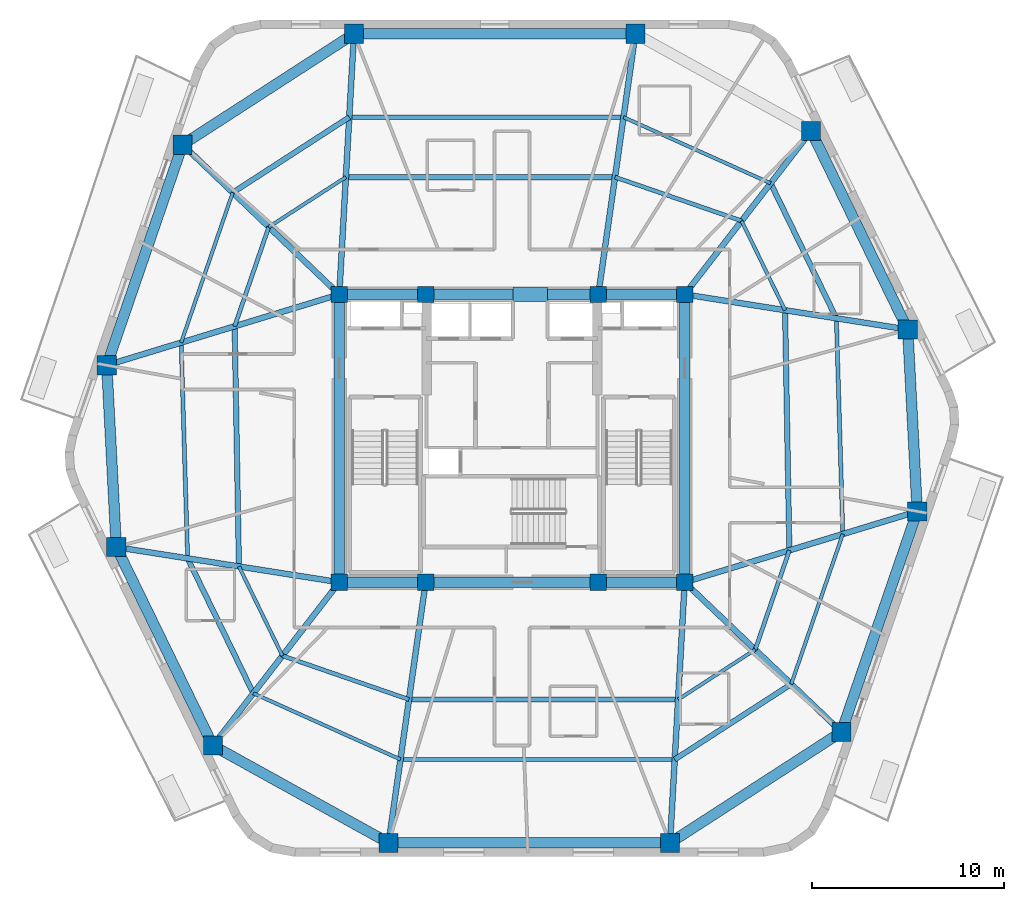
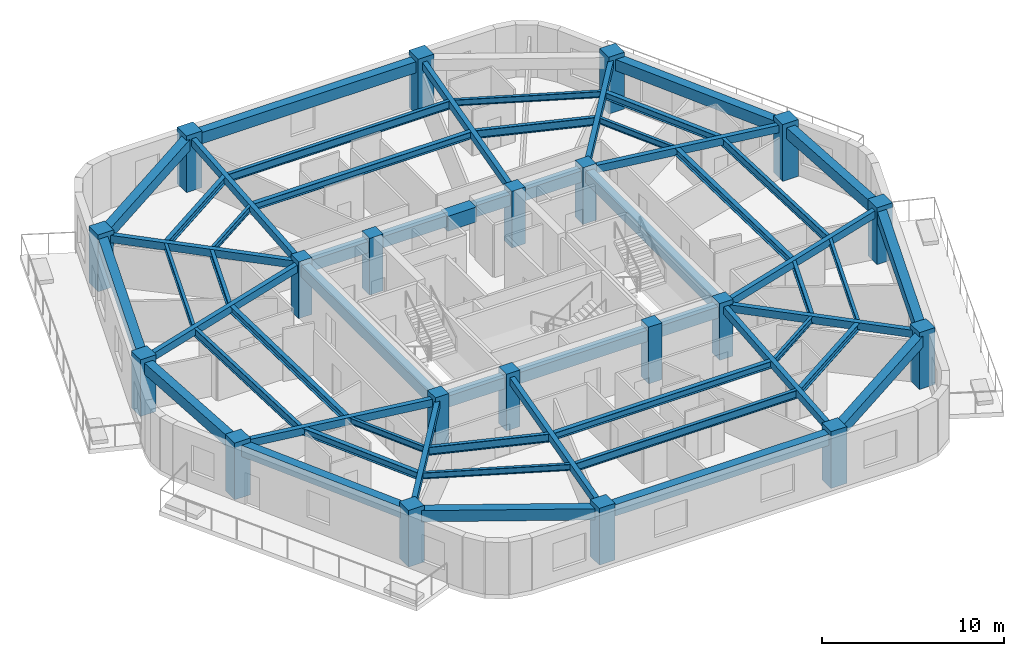
# One storey, part 1 of 9: 56 beams, 20 columns.
"""IFC4 building model written with IfcOpenShell, lengths in metres."""

from ifc_helpers import new_model, si_unit, direction, frame, origin, origin_2d, place, context, subcontext, project, spatial, rectangle, i_section, extrude, material, material_profile, profile_set, type_object, element, save


model = new_model("IFC4")

# Units and contexts
model_context = context("Model", 3, precision=1e-05, world=origin(), true_north=direction((0.0, 1.0)))
body_context = subcontext(model_context, "Body", "Model", "MODEL_VIEW")
ifc_project = project(units=[si_unit("LENGTHUNIT", "METRE"), si_unit("AREAUNIT", "SQUARE_METRE"), si_unit("VOLUMEUNIT", "CUBIC_METRE"), si_unit("PLANEANGLEUNIT", "RADIAN"), si_unit("MASSUNIT", "GRAM", prefix="KILO")], contexts=[model_context])

# Site, building, storey
site_placement = place(None, origin())
site = spatial("IfcSite", under=ifc_project, at=site_placement, CompositionType="ELEMENT")
building_placement = place(site_placement, origin())
building = spatial("IfcBuilding", under=site, at=building_placement, Name="Kilnhurst Terrace Hotel", CompositionType="ELEMENT")
storey_placement = place(building_placement, frame((0.0, 0.0, 240.699951171875)))
storey = spatial("IfcBuildingStorey", under=building, at=storey_placement, Name="L60", CompositionType="ELEMENT", Elevation=240.699951171875)

# Columns
ifc_material_1 = material(Name="Concrete C60/75", Category="concrete")
ifc_material_profile_1 = material_profile(ifc_material_1, rectangle(XDim=1.0, YDim=1.0, at=origin_2d()), Name="RC1000X1000")
ifc_profile_set_1 = profile_set([ifc_material_profile_1], Name="Concrete C60/75")
column_type_1 = type_object("IfcColumnType", Name="COL-RC-1000", PredefinedType="COLUMN", material=ifc_profile_set_1)
for number, where, z_axis, x_axis, name in (
    (1, (-6.429931640625, -21.080078125, 0.0), (0.0, 0.0, 1.0), (1.0, 0.0, 0.0), "L60 Structural Column PC-F11"),
    (2, (8.236083984375, -21.080078125, 0.0), (0.0, 0.0, 1.0), (1.0, 0.0, 0.0), "L60 Structural Column PC-F12"),
    (3, (17.166015625, -15.303955078125, 0.0), (0.0, 0.0, 1.0), (1.0, 0.0, 0.0), "L60 Structural Column PC-F21"),
    (4, (21.117919921875, -3.806884765625, 0.0), (0.0, 0.0, 1.0), (1.0, 0.0, 0.0), "L60 Structural Column PC-F22"),
    (5, (20.6220703125, 5.669921875, 0.0), (0.0, 0.0, 1.0), (1.0, 0.0, 0.0), "L60 Structural Column PC-F31"),
    (6, (15.5869140625, 16.012939453125, 0.0), (0.0, 0.0, 1.0), (1.0, 0.0, 0.0), "L60 Structural Column PC-F32"),
    (7, (6.429931640625, 21.080078125, 0.0), (0.0, 0.0, 1.0), (1.0, 0.0, 0.0), "L60 Structural Column PC-F41"),
    (8, (-8.236083984375, 21.080078125, 0.0), (0.0, 0.0, 1.0), (1.0, 0.0, 0.0), "L60 Structural Column PC-F42"),
    (9, (-17.166015625, 15.303955078125, 0.0), (0.0, 0.0, 1.0), (1.0, 0.0, 0.0), "L60 Structural Column PC-F51"),
    (10, (-21.117919921875, 3.806884765625, 0.0), (0.0, 0.0, 1.0), (1.0, 0.0, 0.0), "L60 Structural Column PC-F52"),
    (11, (-20.6220703125, -5.669921875, 0.0), (0.0, 0.0, 1.0), (1.0, 0.0, 0.0), "L60 Structural Column PC-F61"),
    (12, (-15.5869140625, -16.012939453125, 0.0), (0.0, 0.0, 1.0), (1.0, 0.0, 0.0), "L60 Structural Column PC-F62"),
):
    element("IfcColumn", number, at=place(storey_placement, frame(where, z_axis=z_axis, x_axis=x_axis)), inside=storey, type_object=column_type_1, Name=name, PredefinedType="COLUMN", context=body_context, shape_type="SweptSolid", body=[
        extrude(rectangle(XDim=1.0, YDim=1.0, at=origin_2d()), origin(), (0.0, 0.0, 1.0), 3.800048828125),
    ])
ifc_material_profile_2 = material_profile(ifc_material_1, rectangle(XDim=0.85009765625, YDim=0.85009765625, at=origin_2d()), Name="RC850X850")
ifc_profile_set_2 = profile_set([ifc_material_profile_2], Name="Concrete C60/75")
column_type_2 = type_object("IfcColumnType", Name="COL-RC-850", PredefinedType="COLUMN", material=ifc_profile_set_2)
for number, where, z_axis, x_axis, name in (
    (13, (-9.0, -7.5, 0.0), (0.0, 0.0, 1.0), (1.0, 0.0, 0.0), "L60 Structural Column CC-SW"),
    (14, (-4.5, -7.5, 0.0), (0.0, 0.0, 1.0), (1.0, 0.0, 0.0), "L60 Structural Column CC-SC1"),
    (15, (4.5, -7.5, 0.0), (0.0, 0.0, 1.0), (1.0, 0.0, 0.0), "L60 Structural Column CC-SC2"),
    (16, (9.0, -7.5, 0.0), (0.0, 0.0, 1.0), (1.0, 0.0, 0.0), "L60 Structural Column CC-SE"),
    (17, (9.0, 7.5, 0.0), (0.0, 0.0, 1.0), (1.0, 0.0, 0.0), "L60 Structural Column CC-NE"),
    (18, (4.5, 7.5, 0.0), (0.0, 0.0, 1.0), (1.0, 0.0, 0.0), "L60 Structural Column CC-NC2"),
    (19, (-4.5, 7.5, 0.0), (0.0, 0.0, 1.0), (1.0, 0.0, 0.0), "L60 Structural Column CC-NC1"),
    (20, (-9.0, 7.5, 0.0), (0.0, 0.0, 1.0), (1.0, 0.0, 0.0), "L60 Structural Column CC-NW"),
):
    element("IfcColumn", number, at=place(storey_placement, frame(where, z_axis=z_axis, x_axis=x_axis)), inside=storey, type_object=column_type_2, Name=name, PredefinedType="COLUMN", context=body_context, shape_type="SweptSolid", body=[
        extrude(rectangle(XDim=0.85009765625, YDim=0.85009765625, at=origin_2d()), origin(), (0.0, 0.0, 1.0), 3.800048828125),
    ])

# Beams
ifc_material_2 = material(Name="Concrete C50/60", Category="concrete")
ifc_material_profile_3 = material_profile(ifc_material_2, rectangle(XDim=0.300048828125, YDim=0.5, at=origin_2d()), Name="RC300X500")
ifc_profile_set_3 = profile_set([ifc_material_profile_3], Name="Concrete C50/60")
beam_type_1 = type_object("IfcBeamType", Name="BM-RAD-300X500", PredefinedType="BEAM", material=ifc_profile_set_3)
beam_1_placement = place(storey_placement, frame((-4.5, -7.5, 3.25), z_axis=(-0.140701170889, -0.990052109997, 0.0), x_axis=(0.990052109997, -0.140701170889, 0.0)))
element("IfcBeam", 21, at=beam_1_placement, inside=storey, type_object=beam_type_1, Name="L60 Radial Floor Beam 1", PredefinedType="BEAM", context=body_context, shape_type="SweptSolid", body=[
    extrude(rectangle(XDim=0.300048828125, YDim=0.5, at=origin_2d()), origin(), (0.0, 0.0, 1.0), 13.716552734375),
])
beam_2_placement = place(storey_placement, frame((9.0, -7.5, 3.25), z_axis=(-0.056163905291, -0.998421562138, 0.0), x_axis=(0.998421562138, -0.056163905291, 0.0)))
element("IfcBeam", 22, at=beam_2_placement, inside=storey, type_object=beam_type_1, Name="L60 Radial Floor Beam 2", PredefinedType="BEAM", context=body_context, shape_type="SweptSolid", body=[
    extrude(rectangle(XDim=0.300048828125, YDim=0.5, at=origin_2d()), origin(), (0.0, 0.0, 1.0), 13.6015625),
])
beam_3_placement = place(storey_placement, frame((9.0, -7.5, 3.25), z_axis=(0.722952064528, -0.690898192497, 0.0), x_axis=(0.690898192497, 0.722952064528, 0.0)))
element("IfcBeam", 23, at=beam_3_placement, inside=storey, type_object=beam_type_1, Name="L60 Radial Floor Beam 3", PredefinedType="BEAM", context=body_context, shape_type="SweptSolid", body=[
    extrude(rectangle(XDim=0.300048828125, YDim=0.5, at=origin_2d()), origin(), (0.0, 0.0, 1.0), 11.29541015625),
])
beam_4_placement = place(storey_placement, frame((9.0, -7.5, 3.25), z_axis=(0.956562713724, 0.291526627793, 0.0), x_axis=(-0.291526627793, 0.956562713724, 0.0)))
element("IfcBeam", 24, at=beam_4_placement, inside=storey, type_object=beam_type_1, Name="L60 Radial Floor Beam 4", PredefinedType="BEAM", context=body_context, shape_type="SweptSolid", body=[
    extrude(rectangle(XDim=0.300048828125, YDim=0.5, at=origin_2d()), origin(), (0.0, 0.0, 1.0), 12.668212890625),
])
beam_5_placement = place(storey_placement, frame((9.0, 7.5, 3.25), z_axis=(0.987828160163, -0.155549111179, 0.0), x_axis=(0.155549111179, 0.987828160163, 0.0)))
element("IfcBeam", 25, at=beam_5_placement, inside=storey, type_object=beam_type_1, Name="L60 Radial Floor Beam 5", PredefinedType="BEAM", context=body_context, shape_type="SweptSolid", body=[
    extrude(rectangle(XDim=0.300048828125, YDim=0.5, at=origin_2d()), origin(), (0.0, 0.0, 1.0), 11.765380859375),
])
beam_6_placement = place(storey_placement, frame((9.0, 7.5, 3.25), z_axis=(0.611955412533, 0.790892263884, 0.0), x_axis=(-0.790892263884, 0.611955412533, 0.0)))
element("IfcBeam", 26, at=beam_6_placement, inside=storey, type_object=beam_type_1, Name="L60 Radial Floor Beam 6", PredefinedType="BEAM", context=body_context, shape_type="SweptSolid", body=[
    extrude(rectangle(XDim=0.300048828125, YDim=0.5, at=origin_2d()), origin(), (0.0, 0.0, 1.0), 10.763671875),
])
beam_7_placement = place(storey_placement, frame((4.5, 7.5, 3.25), z_axis=(0.140701170889, 0.990052109997, 0.0), x_axis=(-0.990052109997, 0.140701170889, 0.0)))
element("IfcBeam", 27, at=beam_7_placement, inside=storey, type_object=beam_type_1, Name="L60 Radial Floor Beam 7", PredefinedType="BEAM", context=body_context, shape_type="SweptSolid", body=[
    extrude(rectangle(XDim=0.300048828125, YDim=0.5, at=origin_2d()), origin(), (0.0, 0.0, 1.0), 13.716552734375),
])
beam_8_placement = place(storey_placement, frame((-9.0, 7.5, 3.25), z_axis=(0.056163905291, 0.998421562138, 0.0), x_axis=(-0.998421562138, 0.056163905291, 0.0)))
element("IfcBeam", 28, at=beam_8_placement, inside=storey, type_object=beam_type_1, Name="L60 Radial Floor Beam 8", PredefinedType="BEAM", context=body_context, shape_type="SweptSolid", body=[
    extrude(rectangle(XDim=0.300048828125, YDim=0.5, at=origin_2d()), origin(), (0.0, 0.0, 1.0), 13.6015625),
])
beam_9_placement = place(storey_placement, frame((-9.0, 7.5, 3.25), z_axis=(-0.722952064528, 0.690898192497, 0.0), x_axis=(-0.690898192497, -0.722952064528, 0.0)))
element("IfcBeam", 29, at=beam_9_placement, inside=storey, type_object=beam_type_1, Name="L60 Radial Floor Beam 9", PredefinedType="BEAM", context=body_context, shape_type="SweptSolid", body=[
    extrude(rectangle(XDim=0.300048828125, YDim=0.5, at=origin_2d()), origin(), (0.0, 0.0, 1.0), 11.29541015625),
])
beam_10_placement = place(storey_placement, frame((-9.0, 7.5, 3.25), z_axis=(-0.956562713724, -0.291526627793, 0.0), x_axis=(0.291526627793, -0.956562713724, 0.0)))
element("IfcBeam", 30, at=beam_10_placement, inside=storey, type_object=beam_type_1, Name="L60 Radial Floor Beam 10", PredefinedType="BEAM", context=body_context, shape_type="SweptSolid", body=[
    extrude(rectangle(XDim=0.300048828125, YDim=0.5, at=origin_2d()), origin(), (0.0, 0.0, 1.0), 12.668212890625),
])
beam_11_placement = place(storey_placement, frame((-9.0, -7.5, 3.25), z_axis=(-0.987828160163, 0.155549111179, 0.0), x_axis=(-0.155549111179, -0.987828160163, 0.0)))
element("IfcBeam", 31, at=beam_11_placement, inside=storey, type_object=beam_type_1, Name="L60 Radial Floor Beam 11", PredefinedType="BEAM", context=body_context, shape_type="SweptSolid", body=[
    extrude(rectangle(XDim=0.300048828125, YDim=0.5, at=origin_2d()), origin(), (0.0, 0.0, 1.0), 11.765380859375),
])
beam_12_placement = place(storey_placement, frame((-9.0, -7.5, 3.25), z_axis=(-0.611955412533, -0.790892263884, 0.0), x_axis=(0.790892263884, -0.611955412533, 0.0)))
element("IfcBeam", 32, at=beam_12_placement, inside=storey, type_object=beam_type_1, Name="L60 Radial Floor Beam 12", PredefinedType="BEAM", context=body_context, shape_type="SweptSolid", body=[
    extrude(rectangle(XDim=0.300048828125, YDim=0.5, at=origin_2d()), origin(), (0.0, 0.0, 1.0), 10.763671875),
])
ifc_material_profile_4 = material_profile(ifc_material_2, rectangle(XDim=0.550048828125, YDim=0.75, at=origin_2d()), Name="RC550X750")
ifc_profile_set_4 = profile_set([ifc_material_profile_4], Name="Concrete C50/60")
beam_type_2 = type_object("IfcBeamType", Name="BM-SPN-550X750", PredefinedType="SPANDREL", material=ifc_profile_set_4)
beam_13_placement = place(storey_placement, frame((-9.0, 7.5, 3.125), z_axis=(1.0, 0.0, 0.0), x_axis=(0.0, 1.0, 0.0)))
element("IfcBeam", 33, at=beam_13_placement, inside=storey, type_object=beam_type_2, Name="L60 Core Tie Beam CC-NW to CC-NC1", PredefinedType="SPANDREL", context=body_context, shape_type="SweptSolid", body=[
    extrude(rectangle(XDim=0.550048828125, YDim=0.75, at=origin_2d()), origin(), (0.0, 0.0, 1.0), 4.5),
])
beam_14_placement = place(storey_placement, frame((-4.5, 7.5, 3.125), z_axis=(1.0, 0.0, 0.0), x_axis=(0.0, 1.0, 0.0)))
element("IfcBeam", 34, at=beam_14_placement, inside=storey, type_object=beam_type_2, Name="L60 Core Tie Beam CC-NC1 to CC-NC2", PredefinedType="SPANDREL", context=body_context, shape_type="SweptSolid", body=[
    extrude(rectangle(XDim=0.550048828125, YDim=0.75, at=origin_2d()), origin(), (0.0, 0.0, 1.0), 9.0),
])
for number, where, z_axis, x_axis, name in (
    (35, (4.5, 7.5, 3.125), (1.0, 0.0, 0.0), (0.0, 1.0, 0.0), "L60 Core Tie Beam CC-NC2 to CC-NE"),
    (36, (-9.0, -7.5, 3.125), (1.0, 0.0, 0.0), (0.0, 1.0, 0.0), "L60 Core Tie Beam CC-SW to CC-SC1"),
):
    element("IfcBeam", number, at=place(storey_placement, frame(where, z_axis=z_axis, x_axis=x_axis)), inside=storey, type_object=beam_type_2, Name=name, PredefinedType="SPANDREL", context=body_context, shape_type="SweptSolid", body=[
        extrude(rectangle(XDim=0.550048828125, YDim=0.75, at=origin_2d()), origin(), (0.0, 0.0, 1.0), 4.5),
    ])
beam_15_placement = place(storey_placement, frame((-4.5, -7.5, 3.125), z_axis=(1.0, 0.0, 0.0), x_axis=(0.0, 1.0, 0.0)))
element("IfcBeam", 37, at=beam_15_placement, inside=storey, type_object=beam_type_2, Name="L60 Core Tie Beam CC-SC1 to CC-SC2", PredefinedType="SPANDREL", context=body_context, shape_type="SweptSolid", body=[
    extrude(rectangle(XDim=0.550048828125, YDim=0.75, at=origin_2d()), origin(), (0.0, 0.0, 1.0), 9.0),
])
beam_16_placement = place(storey_placement, frame((4.5, -7.5, 3.125), z_axis=(1.0, 0.0, 0.0), x_axis=(0.0, 1.0, 0.0)))
element("IfcBeam", 38, at=beam_16_placement, inside=storey, type_object=beam_type_2, Name="L60 Core Tie Beam CC-SC2 to CC-SE", PredefinedType="SPANDREL", context=body_context, shape_type="SweptSolid", body=[
    extrude(rectangle(XDim=0.550048828125, YDim=0.75, at=origin_2d()), origin(), (0.0, 0.0, 1.0), 4.5),
])
for number, where, z_axis, x_axis, name in (
    (39, (-9.0, -7.5, 3.125), (0.0, 1.0, 0.0), (-1.0, 0.0, 0.0), "L60 Core Tie Beam CC-SW to CC-NW"),
    (40, (9.0, -7.5, 3.125), (0.0, 1.0, 0.0), (-1.0, 0.0, 0.0), "L60 Core Tie Beam CC-SE to CC-NE"),
):
    element("IfcBeam", number, at=place(storey_placement, frame(where, z_axis=z_axis, x_axis=x_axis)), inside=storey, type_object=beam_type_2, Name=name, PredefinedType="SPANDREL", context=body_context, shape_type="SweptSolid", body=[
        extrude(rectangle(XDim=0.550048828125, YDim=0.75, at=origin_2d()), origin(), (0.0, 0.0, 1.0), 15.0),
    ])
beam_17_placement = place(storey_placement, frame((-6.429931640625, -21.080078125, 3.125), z_axis=(1.0, 0.0, 0.0), x_axis=(0.0, 1.0, 0.0)))
element("IfcBeam", 41, at=beam_17_placement, inside=storey, type_object=beam_type_2, Name="L60 Perimeter Spandrel Beam 1", PredefinedType="SPANDREL", context=body_context, shape_type="SweptSolid", body=[
    extrude(rectangle(XDim=0.550048828125, YDim=0.75, at=origin_2d()), origin(), (0.0, 0.0, 1.0), 14.666015625),
])
beam_18_placement = place(storey_placement, frame((8.236083984375, -21.080078125, 3.125), z_axis=(0.839658834217, 0.543114207254, 0.0), x_axis=(-0.543114207254, 0.839658834217, 0.0)))
element("IfcBeam", 42, at=beam_18_placement, inside=storey, type_object=beam_type_2, Name="L60 Perimeter Spandrel Beam 2", PredefinedType="SPANDREL", context=body_context, shape_type="SweptSolid", body=[
    extrude(rectangle(XDim=0.550048828125, YDim=0.75, at=origin_2d()), origin(), (0.0, 0.0, 1.0), 10.63525390625),
])
beam_19_placement = place(storey_placement, frame((17.166015625, -15.303955078125, 3.125), z_axis=(0.325064053802, 0.94569200109, 0.0), x_axis=(-0.94569200109, 0.325064053802, 0.0)))
element("IfcBeam", 43, at=beam_19_placement, inside=storey, type_object=beam_type_2, Name="L60 Perimeter Spandrel Beam 3", PredefinedType="SPANDREL", context=body_context, shape_type="SweptSolid", body=[
    extrude(rectangle(XDim=0.550048828125, YDim=0.75, at=origin_2d()), origin(), (0.0, 0.0, 1.0), 12.1572265625),
])
beam_20_placement = place(storey_placement, frame((21.117919921875, -3.806884765625, 3.125), z_axis=(-0.052250962837, 0.998633985443, 0.0), x_axis=(-0.998633985443, -0.052250962837, 0.0)))
element("IfcBeam", 44, at=beam_20_placement, inside=storey, type_object=beam_type_2, Name="L60 Perimeter Spandrel Beam 4", PredefinedType="SPANDREL", context=body_context, shape_type="SweptSolid", body=[
    extrude(rectangle(XDim=0.550048828125, YDim=0.75, at=origin_2d()), origin(), (0.0, 0.0, 1.0), 9.48974609375),
])
beam_21_placement = place(storey_placement, frame((20.6220703125, 5.669921875, 3.125), z_axis=(-0.437705964683, 0.899118172701, 0.0), x_axis=(-0.899118172701, -0.437705964683, 0.0)))
element("IfcBeam", 45, at=beam_21_placement, inside=storey, type_object=beam_type_2, Name="L60 Perimeter Spandrel Beam 5", PredefinedType="SPANDREL", context=body_context, shape_type="SweptSolid", body=[
    extrude(rectangle(XDim=0.550048828125, YDim=0.75, at=origin_2d()), origin(), (0.0, 0.0, 1.0), 11.50341796875),
])
beam_22_placement = place(storey_placement, frame((6.429931640625, 21.080078125, 3.125), z_axis=(-1.0, 0.0, 0.0), x_axis=(0.0, -1.0, 0.0)))
element("IfcBeam", 46, at=beam_22_placement, inside=storey, type_object=beam_type_2, Name="L60 Perimeter Spandrel Beam 7", PredefinedType="SPANDREL", context=body_context, shape_type="SweptSolid", body=[
    extrude(rectangle(XDim=0.550048828125, YDim=0.75, at=origin_2d()), origin(), (0.0, 0.0, 1.0), 14.666015625),
])
beam_23_placement = place(storey_placement, frame((-8.236083984375, 21.080078125, 3.125), z_axis=(-0.839658834217, -0.543114207254, 0.0), x_axis=(0.543114207254, -0.839658834217, 0.0)))
element("IfcBeam", 47, at=beam_23_placement, inside=storey, type_object=beam_type_2, Name="L60 Perimeter Spandrel Beam 8", PredefinedType="SPANDREL", context=body_context, shape_type="SweptSolid", body=[
    extrude(rectangle(XDim=0.550048828125, YDim=0.75, at=origin_2d()), origin(), (0.0, 0.0, 1.0), 10.63525390625),
])
beam_24_placement = place(storey_placement, frame((-17.166015625, 15.303955078125, 3.125), z_axis=(-0.325064053802, -0.94569200109, 0.0), x_axis=(0.94569200109, -0.325064053802, 0.0)))
element("IfcBeam", 48, at=beam_24_placement, inside=storey, type_object=beam_type_2, Name="L60 Perimeter Spandrel Beam 9", PredefinedType="SPANDREL", context=body_context, shape_type="SweptSolid", body=[
    extrude(rectangle(XDim=0.550048828125, YDim=0.75, at=origin_2d()), origin(), (0.0, 0.0, 1.0), 12.1572265625),
])
beam_25_placement = place(storey_placement, frame((-21.117919921875, 3.806884765625, 3.125), z_axis=(0.052250962837, -0.998633985443, 0.0), x_axis=(0.998633985443, 0.052250962837, 0.0)))
element("IfcBeam", 49, at=beam_25_placement, inside=storey, type_object=beam_type_2, Name="L60 Perimeter Spandrel Beam 10", PredefinedType="SPANDREL", context=body_context, shape_type="SweptSolid", body=[
    extrude(rectangle(XDim=0.550048828125, YDim=0.75, at=origin_2d()), origin(), (0.0, 0.0, 1.0), 9.48974609375),
])
beam_26_placement = place(storey_placement, frame((-20.6220703125, -5.669921875, 3.125), z_axis=(0.437705964683, -0.899118172701, 0.0), x_axis=(0.899118172701, 0.437705964683, 0.0)))
element("IfcBeam", 50, at=beam_26_placement, inside=storey, type_object=beam_type_2, Name="L60 Perimeter Spandrel Beam 11", PredefinedType="SPANDREL", context=body_context, shape_type="SweptSolid", body=[
    extrude(rectangle(XDim=0.550048828125, YDim=0.75, at=origin_2d()), origin(), (0.0, 0.0, 1.0), 11.50341796875),
])
beam_27_placement = place(storey_placement, frame((-15.5869140625, -16.012939453125, 3.125), z_axis=(0.874970333121, -0.484176534085, 0.0), x_axis=(0.484176534085, 0.874970333121, 0.0)))
element("IfcBeam", 51, at=beam_27_placement, inside=storey, type_object=beam_type_2, Name="L60 Perimeter Spandrel Beam 12", PredefinedType="SPANDREL", context=body_context, shape_type="SweptSolid", body=[
    extrude(rectangle(XDim=0.550048828125, YDim=0.75, at=origin_2d()), origin(), (0.0, 0.0, 1.0), 10.465576171875),
])
ifc_material_3 = material(Name="Steel ASTM A992 Grade 50", Category="steel")
ifc_material_profile_5 = material_profile(ifc_material_3, i_section(OverallWidth=0.180908203125, OverallDepth=0.417236328125, WebThickness=0.010986328125, FlangeThickness=0.018310546875, at=origin_2d()), Name="W16X57")
ifc_profile_set_5 = profile_set([ifc_material_profile_5], Name="Steel ASTM A992 Grade 50")
beam_type_3 = type_object("IfcBeamType", Name="JST-STL-W16X57", PredefinedType="JOIST", material=ifc_profile_set_5)
beam_28_placement = place(storey_placement, frame((14.552978515625, -12.806640625, 3.291015625), z_axis=(0.325064911916, 0.945691706129, 0.0), x_axis=(-0.945691706129, 0.325064911916, 0.0)))
element("IfcBeam", 52, at=beam_28_placement, inside=storey, type_object=beam_type_3, Name="L60 Secondary Floor Steel Joist OUT.3", PredefinedType="JOIST", context=body_context, shape_type="SweptSolid", body=[
    extrude(i_section(OverallWidth=0.180908203125, OverallDepth=0.417236328125, WebThickness=0.010986328125, FlangeThickness=0.018310546875, at=origin_2d()), origin(), (0.0, 0.0, 1.0), 8.266845703125),
])
beam_29_placement = place(storey_placement, frame((13.479248046875, 13.288818359375, 3.291015625), z_axis=(-0.912120852375, 0.409921395713, 0.0), x_axis=(-0.409921395713, -0.912120852375, 0.0)))
element("IfcBeam", 53, at=beam_29_placement, inside=storey, type_object=beam_type_3, Name="L60 Secondary Floor Steel Joist OUT.6", PredefinedType="JOIST", context=body_context, shape_type="SweptSolid", body=[
    extrude(i_section(OverallWidth=0.180908203125, OverallDepth=0.417236328125, WebThickness=0.010986328125, FlangeThickness=0.018310546875, at=origin_2d()), origin(), (0.0, 0.0, 1.0), 8.405517578125),
])
beam_30_placement = place(storey_placement, frame((-14.552978515625, 12.806640625, 3.291015625), z_axis=(-0.325064911916, -0.945691706129, 0.0), x_axis=(0.945691706129, -0.325064911916, 0.0)))
element("IfcBeam", 54, at=beam_30_placement, inside=storey, type_object=beam_type_3, Name="L60 Secondary Floor Steel Joist OUT.9", PredefinedType="JOIST", context=body_context, shape_type="SweptSolid", body=[
    extrude(i_section(OverallWidth=0.180908203125, OverallDepth=0.417236328125, WebThickness=0.010986328125, FlangeThickness=0.018310546875, at=origin_2d()), origin(), (0.0, 0.0, 1.0), 8.266845703125),
])
beam_31_placement = place(storey_placement, frame((-13.479248046875, -13.288818359375, 3.291015625), z_axis=(0.912120852375, -0.409921395713, 0.0), x_axis=(0.409921395713, 0.912120852375, 0.0)))
element("IfcBeam", 55, at=beam_31_placement, inside=storey, type_object=beam_type_3, Name="L60 Secondary Floor Steel Joist OUT.12", PredefinedType="JOIST", context=body_context, shape_type="SweptSolid", body=[
    extrude(i_section(OverallWidth=0.180908203125, OverallDepth=0.417236328125, WebThickness=0.010986328125, FlangeThickness=0.018310546875, at=origin_2d()), origin(), (0.0, 0.0, 1.0), 8.405517578125),
])
beam_32_placement = place(storey_placement, frame((8.65625, -13.611083984375, 3.291015625), z_axis=(0.839653632344, 0.543122249306, 0.0), x_axis=(-0.543122249306, 0.839653632344, 0.0)))
element("IfcBeam", 56, at=beam_32_placement, inside=storey, type_object=beam_type_3, Name="L60 Secondary Floor Steel Joist IN.2", PredefinedType="JOIST", context=body_context, shape_type="SweptSolid", body=[
    extrude(i_section(OverallWidth=0.180908203125, OverallDepth=0.417236328125, WebThickness=0.010986328125, FlangeThickness=0.018310546875, at=origin_2d()), origin(), (0.0, 0.0, 1.0), 4.785888671875),
])
beam_33_placement = place(storey_placement, frame((14.22998046875, 6.676513671875, 3.291015625), z_axis=(-0.437718230281, 0.899112201496, 0.0), x_axis=(-0.899112201496, -0.437718230281, 0.0)))
element("IfcBeam", 57, at=beam_33_placement, inside=storey, type_object=beam_type_3, Name="L60 Secondary Floor Steel Joist IN.5", PredefinedType="JOIST", context=body_context, shape_type="SweptSolid", body=[
    extrude(i_section(OverallWidth=0.180908203125, OverallDepth=0.417236328125, WebThickness=0.010986328125, FlangeThickness=0.018310546875, at=origin_2d()), origin(), (0.0, 0.0, 1.0), 5.176513671875),
])
beam_34_placement = place(storey_placement, frame((-8.65625, 13.611083984375, 3.291015625), z_axis=(-0.839653632344, -0.543122249306, 0.0), x_axis=(0.543122249306, -0.839653632344, 0.0)))
element("IfcBeam", 58, at=beam_34_placement, inside=storey, type_object=beam_type_3, Name="L60 Secondary Floor Steel Joist IN.8", PredefinedType="JOIST", context=body_context, shape_type="SweptSolid", body=[
    extrude(i_section(OverallWidth=0.180908203125, OverallDepth=0.417236328125, WebThickness=0.010986328125, FlangeThickness=0.018310546875, at=origin_2d()), origin(), (0.0, 0.0, 1.0), 4.785888671875),
])
beam_35_placement = place(storey_placement, frame((-14.22998046875, -6.676513671875, 3.291015625), z_axis=(0.437718230281, -0.899112201496, 0.0), x_axis=(0.899112201496, 0.437718230281, 0.0)))
element("IfcBeam", 59, at=beam_35_placement, inside=storey, type_object=beam_type_3, Name="L60 Secondary Floor Steel Joist IN.11", PredefinedType="JOIST", context=body_context, shape_type="SweptSolid", body=[
    extrude(i_section(OverallWidth=0.180908203125, OverallDepth=0.417236328125, WebThickness=0.010986328125, FlangeThickness=0.018310546875, at=origin_2d()), origin(), (0.0, 0.0, 1.0), 5.176513671875),
])
ifc_material_profile_6 = material_profile(ifc_material_3, i_section(OverallWidth=0.279296875, OverallDepth=0.462890625, WebThickness=0.0107421875, FlangeThickness=0.017333984375, at=origin_2d()), Name="W18X76")
ifc_profile_set_6 = profile_set([ifc_material_profile_6], Name="Steel ASTM A992 Grade 50")
beam_type_4 = type_object("IfcBeamType", Name="JST-STL-W18X76", PredefinedType="JOIST", material=ifc_profile_set_6)
beam_36_placement = place(storey_placement, frame((8.48046875, -16.734375, 3.26806640625), z_axis=(0.839667054453, 0.543101498494, 0.0), x_axis=(-0.543101498494, 0.839667054453, 0.0)))
element("IfcBeam", 60, at=beam_36_placement, inside=storey, type_object=beam_type_4, Name="L60 Secondary Floor Steel Joist OUT.2", PredefinedType="JOIST", context=body_context, shape_type="SweptSolid", body=[
    extrude(i_section(OverallWidth=0.279296875, OverallDepth=0.462890625, WebThickness=0.0107421875, FlangeThickness=0.017333984375, at=origin_2d()), origin(), (0.0, 0.0, 1.0), 7.23193359375),
])
beam_37_placement = place(storey_placement, frame((16.903076171875, 6.255615234375, 3.26806640625), z_axis=(-0.437700347277, 0.899120907328, 0.0), x_axis=(-0.899120907328, -0.437700347277, 0.0)))
element("IfcBeam", 61, at=beam_37_placement, inside=storey, type_object=beam_type_4, Name="L60 Secondary Floor Steel Joist OUT.5", PredefinedType="JOIST", context=body_context, shape_type="SweptSolid", body=[
    extrude(i_section(OverallWidth=0.279296875, OverallDepth=0.462890625, WebThickness=0.0107421875, FlangeThickness=0.017333984375, at=origin_2d()), origin(), (0.0, 0.0, 1.0), 7.822265625),
])
beam_38_placement = place(storey_placement, frame((-8.48046875, 16.734375, 3.26806640625), z_axis=(-0.839667054453, -0.543101498494, 0.0), x_axis=(0.543101498494, -0.839667054453, 0.0)))
element("IfcBeam", 62, at=beam_38_placement, inside=storey, type_object=beam_type_4, Name="L60 Secondary Floor Steel Joist OUT.8", PredefinedType="JOIST", context=body_context, shape_type="SweptSolid", body=[
    extrude(i_section(OverallWidth=0.279296875, OverallDepth=0.462890625, WebThickness=0.0107421875, FlangeThickness=0.017333984375, at=origin_2d()), origin(), (0.0, 0.0, 1.0), 7.23193359375),
])
beam_39_placement = place(storey_placement, frame((-16.903076171875, -6.255615234375, 3.26806640625), z_axis=(0.437700347277, -0.899120907328, 0.0), x_axis=(0.899120907328, 0.437700347277, 0.0)))
element("IfcBeam", 63, at=beam_39_placement, inside=storey, type_object=beam_type_4, Name="L60 Secondary Floor Steel Joist OUT.11", PredefinedType="JOIST", context=body_context, shape_type="SweptSolid", body=[
    extrude(i_section(OverallWidth=0.279296875, OverallDepth=0.462890625, WebThickness=0.0107421875, FlangeThickness=0.017333984375, at=origin_2d()), origin(), (0.0, 0.0, 1.0), 7.822265625),
])
beam_40_placement = place(storey_placement, frame((-5.368408203125, -13.611083984375, 3.26806640625), z_axis=(1.0, 0.0, 0.0), x_axis=(0.0, 1.0, 0.0)))
element("IfcBeam", 64, at=beam_40_placement, inside=storey, type_object=beam_type_4, Name="L60 Secondary Floor Steel Joist IN.1", PredefinedType="JOIST", context=body_context, shape_type="SweptSolid", body=[
    extrude(i_section(OverallWidth=0.279296875, OverallDepth=0.462890625, WebThickness=0.0107421875, FlangeThickness=0.017333984375, at=origin_2d()), origin(), (0.0, 0.0, 1.0), 14.024658203125),
])
beam_41_placement = place(storey_placement, frame((14.453125, -5.838134765625, 3.26806640625), z_axis=(-0.017827833387, 0.999841071549, 0.0), x_axis=(-0.999841071549, -0.017827833387, 0.0)))
element("IfcBeam", 65, at=beam_41_placement, inside=storey, type_object=beam_type_4, Name="L60 Secondary Floor Steel Joist IN.4", PredefinedType="JOIST", context=body_context, shape_type="SweptSolid", body=[
    extrude(i_section(OverallWidth=0.279296875, OverallDepth=0.462890625, WebThickness=0.0107421875, FlangeThickness=0.017333984375, at=origin_2d()), origin(), (0.0, 0.0, 1.0), 12.5166015625),
])
beam_42_placement = place(storey_placement, frame((5.368408203125, 13.611083984375, 3.26806640625), z_axis=(-1.0, 0.0, 0.0), x_axis=(0.0, -1.0, 0.0)))
element("IfcBeam", 66, at=beam_42_placement, inside=storey, type_object=beam_type_4, Name="L60 Secondary Floor Steel Joist IN.7", PredefinedType="JOIST", context=body_context, shape_type="SweptSolid", body=[
    extrude(i_section(OverallWidth=0.279296875, OverallDepth=0.462890625, WebThickness=0.0107421875, FlangeThickness=0.017333984375, at=origin_2d()), origin(), (0.0, 0.0, 1.0), 14.024658203125),
])
beam_43_placement = place(storey_placement, frame((-14.453125, 5.838134765625, 3.26806640625), z_axis=(0.017827833387, -0.999841071549, 0.0), x_axis=(0.999841071549, 0.017827833387, 0.0)))
element("IfcBeam", 67, at=beam_43_placement, inside=storey, type_object=beam_type_4, Name="L60 Secondary Floor Steel Joist IN.10", PredefinedType="JOIST", context=body_context, shape_type="SweptSolid", body=[
    extrude(i_section(OverallWidth=0.279296875, OverallDepth=0.462890625, WebThickness=0.0107421875, FlangeThickness=0.017333984375, at=origin_2d()), origin(), (0.0, 0.0, 1.0), 12.5166015625),
])
ifc_material_profile_7 = material_profile(ifc_material_3, i_section(OverallWidth=0.2138671875, OverallDepth=0.549072265625, WebThickness=0.0146484375, FlangeThickness=0.023681640625, at=origin_2d()), Name="W21X93")
ifc_profile_set_7 = profile_set([ifc_material_profile_7], Name="Steel ASTM A992 Grade 50")
beam_type_5 = type_object("IfcBeamType", Name="JST-STL-W21X93", PredefinedType="JOIST", material=ifc_profile_set_7)
beam_44_placement = place(storey_placement, frame((-5.8125, -16.734375, 3.22509765625), z_axis=(1.0, 0.0, 0.0), x_axis=(0.0, 1.0, 0.0)))
element("IfcBeam", 68, at=beam_44_placement, inside=storey, type_object=beam_type_5, Name="L60 Secondary Floor Steel Joist OUT.1", PredefinedType="JOIST", context=body_context, shape_type="SweptSolid", body=[
    extrude(i_section(OverallWidth=0.2138671875, OverallDepth=0.549072265625, WebThickness=0.0146484375, FlangeThickness=0.023681640625, at=origin_2d()), origin(), (0.0, 0.0, 1.0), 14.29296875),
])
beam_45_placement = place(storey_placement, frame((17.240234375, -4.98876953125, 3.22509765625), z_axis=(-0.029971114202, 0.999550765251, 0.0), x_axis=(-0.999550765251, -0.029971114202, 0.0)))
element("IfcBeam", 69, at=beam_45_placement, inside=storey, type_object=beam_type_5, Name="L60 Secondary Floor Steel Joist OUT.4", PredefinedType="JOIST", context=body_context, shape_type="SweptSolid", body=[
    extrude(i_section(OverallWidth=0.2138671875, OverallDepth=0.549072265625, WebThickness=0.0146484375, FlangeThickness=0.023681640625, at=origin_2d()), origin(), (0.0, 0.0, 1.0), 11.24951171875),
])
beam_46_placement = place(storey_placement, frame((5.8125, 16.734375, 3.22509765625), z_axis=(-1.0, 0.0, 0.0), x_axis=(0.0, -1.0, 0.0)))
element("IfcBeam", 70, at=beam_46_placement, inside=storey, type_object=beam_type_5, Name="L60 Secondary Floor Steel Joist OUT.7", PredefinedType="JOIST", context=body_context, shape_type="SweptSolid", body=[
    extrude(i_section(OverallWidth=0.2138671875, OverallDepth=0.549072265625, WebThickness=0.0146484375, FlangeThickness=0.023681640625, at=origin_2d()), origin(), (0.0, 0.0, 1.0), 14.29296875),
])
beam_47_placement = place(storey_placement, frame((-17.240234375, 4.98876953125, 3.22509765625), z_axis=(0.029971114202, -0.999550765251, 0.0), x_axis=(0.999550765251, 0.029971114202, 0.0)))
element("IfcBeam", 71, at=beam_47_placement, inside=storey, type_object=beam_type_5, Name="L60 Secondary Floor Steel Joist OUT.10", PredefinedType="JOIST", context=body_context, shape_type="SweptSolid", body=[
    extrude(i_section(OverallWidth=0.2138671875, OverallDepth=0.549072265625, WebThickness=0.0146484375, FlangeThickness=0.023681640625, at=origin_2d()), origin(), (0.0, 0.0, 1.0), 11.24951171875),
])
beam_48_placement = place(storey_placement, frame((12.6748046875, -11.01171875, 3.22509765625), z_axis=(0.325063554612, 0.945692172677, 0.0), x_axis=(-0.945692172677, 0.325063554612, 0.0)))
element("IfcBeam", 72, at=beam_48_placement, inside=storey, type_object=beam_type_5, Name="L60 Secondary Floor Steel Joist IN.3", PredefinedType="JOIST", context=body_context, shape_type="SweptSolid", body=[
    extrude(i_section(OverallWidth=0.2138671875, OverallDepth=0.549072265625, WebThickness=0.0146484375, FlangeThickness=0.023681640625, at=origin_2d()), origin(), (0.0, 0.0, 1.0), 5.470703125),
])
beam_49_placement = place(storey_placement, frame((11.964111328125, 11.330810546875, 3.22509765625), z_axis=(-0.94511244231, 0.326745269884, 0.0), x_axis=(-0.326745269884, -0.94511244231, 0.0)))
element("IfcBeam", 73, at=beam_49_placement, inside=storey, type_object=beam_type_5, Name="L60 Secondary Floor Steel Joist IN.6", PredefinedType="JOIST", context=body_context, shape_type="SweptSolid", body=[
    extrude(i_section(OverallWidth=0.2138671875, OverallDepth=0.549072265625, WebThickness=0.0146484375, FlangeThickness=0.023681640625, at=origin_2d()), origin(), (0.0, 0.0, 1.0), 6.978759765625),
])
beam_50_placement = place(storey_placement, frame((-12.6748046875, 11.01171875, 3.22509765625), z_axis=(-0.325063554612, -0.945692172677, 0.0), x_axis=(0.945692172677, -0.325063554612, 0.0)))
element("IfcBeam", 74, at=beam_50_placement, inside=storey, type_object=beam_type_5, Name="L60 Secondary Floor Steel Joist IN.9", PredefinedType="JOIST", context=body_context, shape_type="SweptSolid", body=[
    extrude(i_section(OverallWidth=0.2138671875, OverallDepth=0.549072265625, WebThickness=0.0146484375, FlangeThickness=0.023681640625, at=origin_2d()), origin(), (0.0, 0.0, 1.0), 5.470703125),
])
beam_51_placement = place(storey_placement, frame((-11.964111328125, -11.330810546875, 3.22509765625), z_axis=(0.94511244231, -0.326745269884, 0.0), x_axis=(0.326745269884, 0.94511244231, 0.0)))
element("IfcBeam", 75, at=beam_51_placement, inside=storey, type_object=beam_type_5, Name="L60 Secondary Floor Steel Joist IN.12", PredefinedType="JOIST", context=body_context, shape_type="SweptSolid", body=[
    extrude(i_section(OverallWidth=0.2138671875, OverallDepth=0.549072265625, WebThickness=0.0146484375, FlangeThickness=0.023681640625, at=origin_2d()), origin(), (0.0, 0.0, 1.0), 6.978759765625),
])
ifc_material_profile_8 = material_profile(ifc_material_1, rectangle(XDim=0.75, YDim=1.0, at=origin_2d()), Name="RC750X1000")
ifc_profile_set_8 = profile_set([ifc_material_profile_8], Name="Concrete C60/75")
beam_type_6 = type_object("IfcBeamType", Name="LNT-CB-750X1000", PredefinedType="LINTEL", material=ifc_profile_set_8)
beam_52_placement = place(storey_placement, frame((0.050048828125, 7.5, 3.0), z_axis=(1.0, 0.0, 0.0), x_axis=(0.0, 1.0, 0.0)))
element("IfcBeam", 76, at=beam_52_placement, inside=storey, type_object=beam_type_6, Name="L60 North Core Coupling Link Beam", PredefinedType="LINTEL", context=body_context, shape_type="SweptSolid", body=[
    extrude(rectangle(XDim=0.75, YDim=1.0, at=origin_2d()), origin(), (0.0, 0.0, 1.0), 1.800048828125),
])

save(model, "model.ifc")
